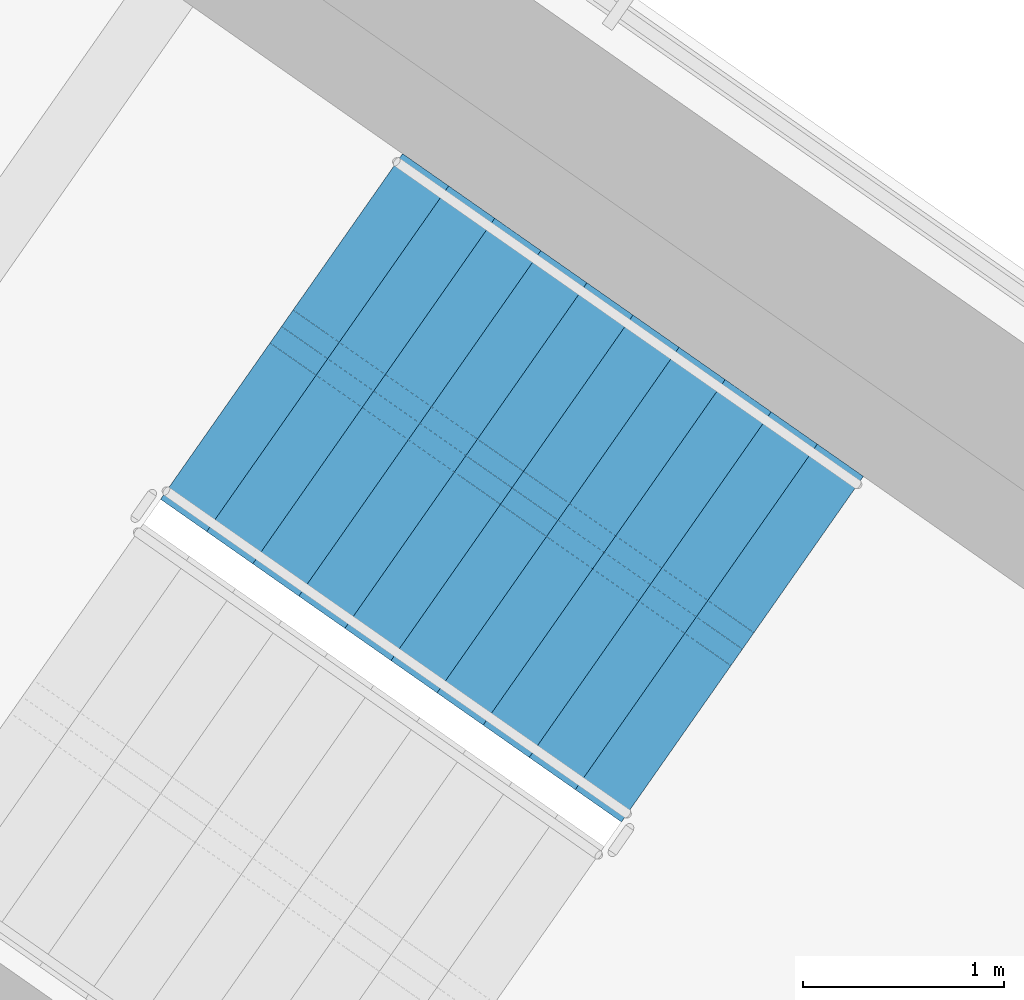
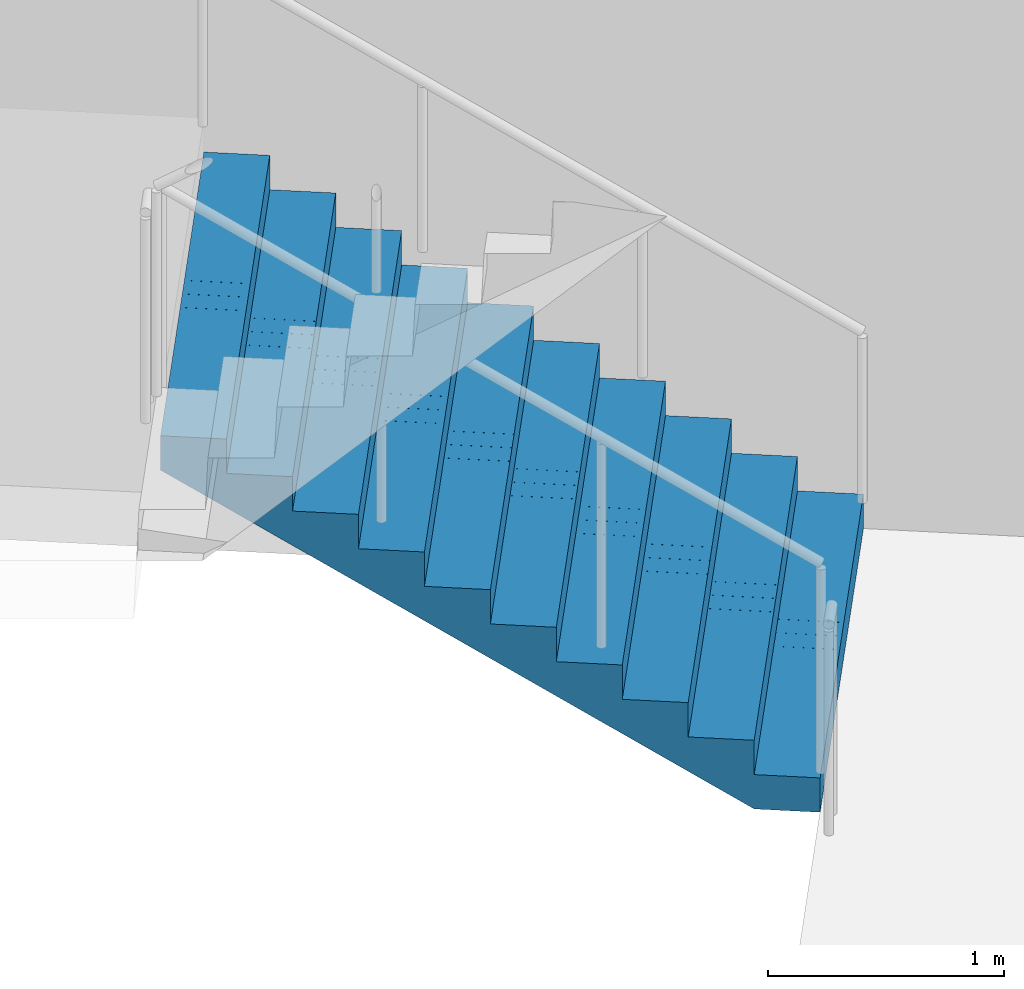
# One storey, part 15 of 20: 1 stair flight, 1 element without a shape of its own.
"""IFC4 building model written with IfcOpenShell, lengths in metres."""

from ifc_helpers import new_model, si_unit, direction, frame, origin, place, context, subcontext, project, spatial, polyline, outline, extrude, material, type_object, element, aggregate, save


model = new_model("IFC4")

# Units and contexts
model_context = context("Model", 3, precision=1e-05, world=origin(), true_north=direction((0.0, 1.0)))
body_context = subcontext(model_context, "Body", "Model", "MODEL_VIEW")
ifc_project = project(units=[si_unit("LENGTHUNIT", "METRE"), si_unit("AREAUNIT", "SQUARE_METRE"), si_unit("VOLUMEUNIT", "CUBIC_METRE"), si_unit("PLANEANGLEUNIT", "RADIAN"), si_unit("MASSUNIT", "GRAM", prefix="KILO")], contexts=[model_context])

# Site, building, storey
site_placement = place(None, origin())
site = spatial("IfcSite", under=ifc_project, at=site_placement, CompositionType="ELEMENT")
building_placement = place(site_placement, origin())
building = spatial("IfcBuilding", under=site, at=building_placement, Name="Tel Ilan Convention Tower", CompositionType="ELEMENT")
storey_placement = place(building_placement, frame((0.0, 0.0, 244.89990234375)))
storey = spatial("IfcBuildingStorey", under=building, at=storey_placement, Name="L57", CompositionType="ELEMENT", Elevation=244.89990234375)

# Stair, stair flight
ifc_material_1 = material(Name="Concrete C40/50", Category="concrete")
stair_type = type_object("IfcStairType", Name="Pressurised Exit Stair 22 risers 177 mm", PredefinedType="HALF_TURN_STAIR", material=ifc_material_1)
stair_placement = place(storey_placement, origin())
stair = element("IfcStair", 1, at=stair_placement, inside=storey, type_object=stair_type, Name="L57 Pressurised Stair S3", PredefinedType="HALF_TURN_STAIR")
ifc_material_2 = material(Name="Precast Concrete C40/50", Category="concrete")
stair_flight_type = type_object("IfcStairFlightType", Name="Concrete Stair Flight 2100 mm 22 risers 177 mm", PredefinedType="STRAIGHT", material=ifc_material_2)
stair_flight_placement = place(storey_placement, frame((24.25244140625, -7.032470703125, 0.0), z_axis=(0.0, 0.0, 1.0), x_axis=(-0.819152044289, 0.573576436351, 0.0)))
stair_flight = element("IfcStairFlight", 2, at=stair_flight_placement, type_object=stair_flight_type, Name="S3 flight 1", NumberOfRisers=11, NumberOfTreads=10, PredefinedType="STRAIGHT", RiserHeight=0.177272727, TreadLength=0.28, context=body_context, shape_type="SweptSolid", body=[
    extrude(outline(polyline([(0.0, 0.0), (0.0, 0.17724609375), (0.280029296875, 0.17724609375), (0.280029296875, 0.3544921875), (0.56005859375, 0.3544921875), (0.56005859375, 0.53173828125), (0.840087890625, 0.53173828125), (0.840087890625, 0.708984375), (1.1201171875, 0.708984375), (1.1201171875, 0.886474609375), (1.39990234375, 0.886474609375), (1.39990234375, 1.063720703125), (1.679931640625, 1.063720703125), (1.679931640625, 1.240966796875), (1.9599609375, 1.240966796875), (1.9599609375, 1.418212890625), (2.239990234375, 1.418212890625), (2.239990234375, 1.595458984375), (2.52001953125, 1.595458984375), (2.52001953125, 1.772705078125), (2.800048828125, 1.772705078125), (2.800048828125, 1.949951171875), (2.800048828125, 1.59521484375), (0.2802734375, 0.0), (0.0, 0.0)])), frame((0.0, -0.100341796875, 0.0), z_axis=(0.0, -1.0, 0.0), x_axis=(1.0, 0.0, 0.0)), (0.0, 0.0, 1.0), 0.94970703125),
    extrude(outline(polyline([(0.0, 0.0), (0.0, 0.17724609375), (0.280029296875, 0.17724609375), (0.280029296875, 0.3544921875), (0.56005859375, 0.3544921875), (0.56005859375, 0.53173828125), (0.840087890625, 0.53173828125), (0.840087890625, 0.708984375), (1.1201171875, 0.708984375), (1.1201171875, 0.886474609375), (1.39990234375, 0.886474609375), (1.39990234375, 1.063720703125), (1.679931640625, 1.063720703125), (1.679931640625, 1.240966796875), (1.9599609375, 1.240966796875), (1.9599609375, 1.418212890625), (2.239990234375, 1.418212890625), (2.239990234375, 1.595458984375), (2.52001953125, 1.595458984375), (2.52001953125, 1.772705078125), (2.800048828125, 1.772705078125), (2.800048828125, 1.949951171875), (2.800048828125, 1.59521484375), (0.2802734375, 0.0), (0.0, 0.0)])), frame((0.0, -0.000244140625, 0.0), z_axis=(0.0, -1.0, 0.0), x_axis=(1.0, 0.0, 0.0)), (0.0, 0.0, 1.0), 0.099609375),
    extrude(outline(polyline([(0.0, 0.0), (0.0, 0.17724609375), (0.280029296875, 0.17724609375), (0.280029296875, 0.3544921875), (0.56005859375, 0.3544921875), (0.56005859375, 0.53173828125), (0.840087890625, 0.53173828125), (0.840087890625, 0.708984375), (1.1201171875, 0.708984375), (1.1201171875, 0.886474609375), (1.39990234375, 0.886474609375), (1.39990234375, 1.063720703125), (1.679931640625, 1.063720703125), (1.679931640625, 1.240966796875), (1.9599609375, 1.240966796875), (1.9599609375, 1.418212890625), (2.239990234375, 1.418212890625), (2.239990234375, 1.595458984375), (2.52001953125, 1.595458984375), (2.52001953125, 1.772705078125), (2.800048828125, 1.772705078125), (2.800048828125, 1.949951171875), (2.800048828125, 1.59521484375), (0.2802734375, 0.0), (0.0, 0.0)])), frame((0.0, 0.099853515625, 0.0), z_axis=(0.0, -1.0, 0.0), x_axis=(1.0, 0.0, 0.0)), (0.0, 0.0, 1.0), 0.099609375),
    extrude(outline(polyline([(0.0, 0.0), (0.0, 0.17724609375), (0.280029296875, 0.17724609375), (0.280029296875, 0.3544921875), (0.56005859375, 0.3544921875), (0.56005859375, 0.53173828125), (0.840087890625, 0.53173828125), (0.840087890625, 0.708984375), (1.1201171875, 0.708984375), (1.1201171875, 0.886474609375), (1.39990234375, 0.886474609375), (1.39990234375, 1.063720703125), (1.679931640625, 1.063720703125), (1.679931640625, 1.240966796875), (1.9599609375, 1.240966796875), (1.9599609375, 1.418212890625), (2.239990234375, 1.418212890625), (2.239990234375, 1.595458984375), (2.52001953125, 1.595458984375), (2.52001953125, 1.772705078125), (2.800048828125, 1.772705078125), (2.800048828125, 1.949951171875), (2.800048828125, 1.59521484375), (0.2802734375, 0.0), (0.0, 0.0)])), frame((0.0, 1.050048828125, 0.0), z_axis=(0.0, -1.0, 0.0), x_axis=(1.0, 0.0, 0.0)), (0.0, 0.0, 1.0), 0.94970703125),
])
aggregate(stair, [stair_flight])

save(model, "model.ifc")
